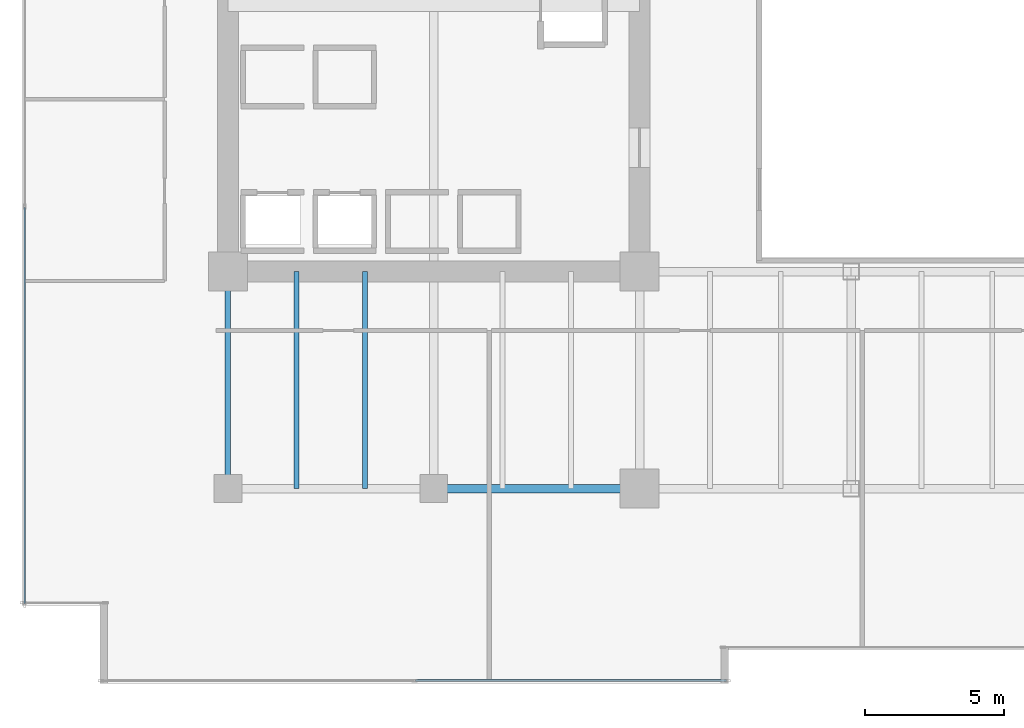
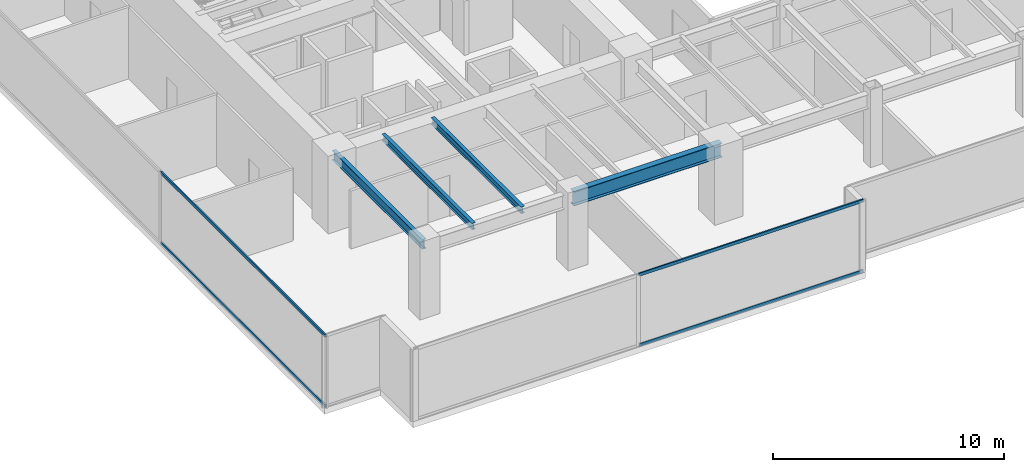
# One storey, part 3 of 35: 4 beams, 4 members, 2 elements without a shape of their own.
"""IFC4 building model written with IfcOpenShell, lengths in metres."""

from ifc_helpers import new_model, si_unit, direction, frame, origin, origin_2d, place, context, subcontext, project, spatial, hollow_rectangle, i_section, extrude, source, transform, mapped, material, layer, layer_set, material_profile, profile_set, type_object, type_shapes, element, aggregate, save


model = new_model("IFC4")

# Units and contexts
model_context = context("Model", 3, precision=1e-05, world=origin(), true_north=direction((0.0, 1.0)))
body_context = subcontext(model_context, "Body", "Model", "MODEL_VIEW")
ifc_project = project(units=[si_unit("LENGTHUNIT", "METRE"), si_unit("AREAUNIT", "SQUARE_METRE"), si_unit("VOLUMEUNIT", "CUBIC_METRE"), si_unit("PLANEANGLEUNIT", "RADIAN"), si_unit("MASSUNIT", "GRAM", prefix="KILO")], contexts=[model_context])

# Site, building, storey
site_placement = place(None, origin())
site = spatial("IfcSite", under=ifc_project, at=site_placement, CompositionType="ELEMENT")
building_placement = place(site_placement, origin())
building = spatial("IfcBuilding", under=site, at=building_placement, Name="Haelvirn Gate Laboratories", CompositionType="ELEMENT")
storey_placement = place(building_placement, frame((0.0, 0.0, 58.0)))
storey = spatial("IfcBuildingStorey", under=building, at=storey_placement, Name="L14", CompositionType="ELEMENT", Elevation=58.0)

# Beams
ifc_material_1 = material(Name="Steel SM355", Category="steel")
ifc_material_profile_1 = material_profile(ifc_material_1, i_section(OverallWidth=0.300048828125, OverallDepth=0.75, WebThickness=0.013916015625, FlangeThickness=0.02392578125, at=origin_2d()), Name="H-750x300x14x24")
ifc_profile_set_1 = profile_set([ifc_material_profile_1], Name="Steel SM355")
beam_type_1 = type_object("IfcBeamType", Name="BM-G-750", PredefinedType="BEAM", material=ifc_profile_set_1)
shared_shape_1 = source(origin(), body_context, "Body", "SweptSolid", [
    extrude(i_section(OverallWidth=0.300048828125, OverallDepth=0.75, WebThickness=0.013916015625, FlangeThickness=0.02392578125, at=origin_2d()), origin(), (0.0, 0.0, 1.0), 7.39990234375),
])
type_shapes(beam_type_1, [shared_shape_1])
beam_1_placement = place(storey_placement, frame((14.800048828125, 7.0, 3.405029296875), z_axis=(1.0, 0.0, 0.0), x_axis=(0.0, 1.0, 0.0)))
element("IfcBeam", 1, at=beam_1_placement, inside=storey, type_object=beam_type_1, Name="L14 Primary Girder Y7.0 (14.8-22.2)", PredefinedType="BEAM", context=body_context, shape_type="MappedRepresentation", body=[
    mapped(shared_shape_1, transform((0.0, 0.0, 0.0), scale=1.0)),
])
ifc_material_profile_2 = material_profile(ifc_material_1, i_section(OverallWidth=0.199951171875, OverallDepth=0.5, WebThickness=0.010009765625, FlangeThickness=0.01611328125, at=origin_2d()), Name="H-500x200x10x16")
ifc_profile_set_2 = profile_set([ifc_material_profile_2], Name="Steel SM355")
beam_type_2 = type_object("IfcBeamType", Name="BM-SP-500", PredefinedType="SPANDREL", material=ifc_profile_set_2)
shared_shape_2 = source(origin(), body_context, "Body", "SweptSolid", [
    extrude(i_section(OverallWidth=0.199951171875, OverallDepth=0.5, WebThickness=0.010009765625, FlangeThickness=0.01611328125, at=origin_2d()), origin(), (0.0, 0.0, 1.0), 7.800048828125),
])
type_shapes(beam_type_2, [shared_shape_2])
beam_2_placement = place(storey_placement, frame((7.39990234375, 7.0, 3.530029296875), z_axis=(0.0, 1.0, 0.0), x_axis=(-1.0, 0.0, 0.0)))
element("IfcBeam", 2, at=beam_2_placement, inside=storey, type_object=beam_type_2, Name="L14 Perimeter Spandrel X7.4 (7.0-14.8)", PredefinedType="SPANDREL", context=body_context, shape_type="MappedRepresentation", body=[
    mapped(shared_shape_2, transform((0.0, 0.0, 0.0), scale=1.0)),
])
ifc_material_profile_3 = material_profile(ifc_material_1, i_section(OverallWidth=0.175048828125, OverallDepth=0.35009765625, WebThickness=0.007080078125, FlangeThickness=0.010986328125, at=origin_2d()), Name="H-350x175x7x11")
ifc_profile_set_3 = profile_set([ifc_material_profile_3], Name="Steel SM355")
beam_type_3 = type_object("IfcBeamType", Name="BM-J-350", PredefinedType="JOIST", material=ifc_profile_set_3)
shared_shape_3 = source(origin(), body_context, "Body", "SweptSolid", [
    extrude(i_section(OverallWidth=0.175048828125, OverallDepth=0.35009765625, WebThickness=0.007080078125, FlangeThickness=0.010986328125, at=origin_2d()), origin(), (0.0, 0.0, 1.0), 7.800048828125),
])
type_shapes(beam_type_3, [shared_shape_3])
for number, where, z_axis, x_axis, name in (
    (3, (9.8701171875, 7.0, 3.60498046875), (0.0, 1.0, 0.0), (-1.0, 0.0, 0.0), "L14 Composite Lab Joist South X9.87"),
    (4, (12.330078125, 7.0, 3.60498046875), (0.0, 1.0, 0.0), (-1.0, 0.0, 0.0), "L14 Composite Lab Joist South X12.33"),
):
    element("IfcBeam", number, at=place(storey_placement, frame(where, z_axis=z_axis, x_axis=x_axis)), inside=storey, type_object=beam_type_3, Name=name, PredefinedType="JOIST", context=body_context, shape_type="MappedRepresentation", body=[
        mapped(shared_shape_3, transform((0.0, 0.0, 0.0), scale=1.0)),
    ])

# Curtain wall, members
ifc_material_2 = material(Name="Anodised bronze unitised aluminium & triple low-E glass", Category="aluminium")
ifc_layer = layer(ifc_material_2, 0.18408203125, Name="CW-SYS-2")
ifc_layer_set = layer_set([ifc_layer], Name="Anodised bronze unitised aluminium & triple low-E glass")
curtain_wall_type = type_object("IfcCurtainWallType", Name="CW-SYS-2", PredefinedType="NOTDEFINED", material=ifc_layer_set)
curtain_wall_1_placement = place(storey_placement, origin())
curtain_wall_1 = element("IfcCurtainWall", 5, at=curtain_wall_1_placement, inside=storey, type_object=curtain_wall_type, Name="L14 Unitised Curtain Wall CW-L14-P0-E00-1", PredefinedType="NOTDEFINED")
ifc_material_3 = material(Name="Extruded aluminium 6063-T6 (anodised bronze)", Category="aluminium")
ifc_material_profile_4 = material_profile(ifc_material_3, hollow_rectangle(XDim=0.070068359375, YDim=0.159912109375, WallThickness=0.0048828125, at=origin_2d()), Name="CWT-160x70x5")
ifc_profile_set_4 = profile_set([ifc_material_profile_4], Name="Extruded aluminium 6063-T6 (anodised bronze)")
member_type = type_object("IfcMemberType", Name="CWT-T160", PredefinedType="USERDEFINED", material=ifc_profile_set_4)
shared_shape_4 = source(origin(), body_context, "Body", "SweptSolid", [
    extrude(hollow_rectangle(XDim=0.070068359375, YDim=0.159912109375, WallThickness=0.0048828125, at=origin_2d()), origin(), (0.0, 0.0, 1.0), 11.1875),
])
member_1_placement = place(storey_placement, frame((14.137451171875, 0.10009765625, 0.034912109375), z_axis=(1.0, 0.0, 0.0), x_axis=(0.0, 1.0, 0.0)))
member_1 = element("IfcMember", 6, at=member_1_placement, type_object=member_type, Name="CW2 transom 2.1", ObjectType="TRANSOM", PredefinedType="USERDEFINED", context=body_context, shape_type="MappedRepresentation", body=[
    mapped(shared_shape_4, transform((0.0, 0.0, 0.0), scale=1.0)),
])
member_2_placement = place(storey_placement, frame((14.137451171875, 0.10009765625, 3.7451171875), z_axis=(1.0, 0.0, 0.0), x_axis=(0.0, 1.0, 0.0)))
member_2 = element("IfcMember", 7, at=member_2_placement, type_object=member_type, Name="CW2 transom 2.2", ObjectType="TRANSOM", PredefinedType="USERDEFINED", context=body_context, shape_type="MappedRepresentation", body=[
    mapped(shared_shape_4, transform((0.0, 0.0, 0.0), scale=1.0)),
])
aggregate(curtain_wall_1, [member_1, member_2])

curtain_wall_2_placement = place(storey_placement, origin())
curtain_wall_2 = element("IfcCurtainWall", 8, at=curtain_wall_2_placement, inside=storey, type_object=curtain_wall_type, Name="L14 Unitised Curtain Wall CW-L14-P0-E17", PredefinedType="NOTDEFINED")
shared_shape_5 = source(origin(), body_context, "Body", "SweptSolid", [
    extrude(hollow_rectangle(XDim=0.070068359375, YDim=0.159912109375, WallThickness=0.0048828125, at=origin_2d()), origin(), (0.0, 0.0, 1.0), 14.220947265625),
])
type_shapes(member_type, [shared_shape_4, shared_shape_5])
member_3_placement = place(storey_placement, frame((0.10009765625, 17.095947265625, 0.034912109375), z_axis=(0.0, -1.0, 0.0), x_axis=(1.0, 0.0, 0.0)))
member_3 = element("IfcMember", 9, at=member_3_placement, type_object=member_type, Name="CW2 transom 3.1", ObjectType="TRANSOM", PredefinedType="USERDEFINED", context=body_context, shape_type="MappedRepresentation", body=[
    mapped(shared_shape_5, transform((0.0, 0.0, 0.0), scale=1.0)),
])
member_4_placement = place(storey_placement, frame((0.10009765625, 17.095947265625, 3.7451171875), z_axis=(0.0, -1.0, 0.0), x_axis=(1.0, 0.0, 0.0)))
member_4 = element("IfcMember", 10, at=member_4_placement, type_object=member_type, Name="CW2 transom 3.2", ObjectType="TRANSOM", PredefinedType="USERDEFINED", context=body_context, shape_type="MappedRepresentation", body=[
    mapped(shared_shape_5, transform((0.0, 0.0, 0.0), scale=1.0)),
])
aggregate(curtain_wall_2, [member_3, member_4])

save(model, "model.ifc")
